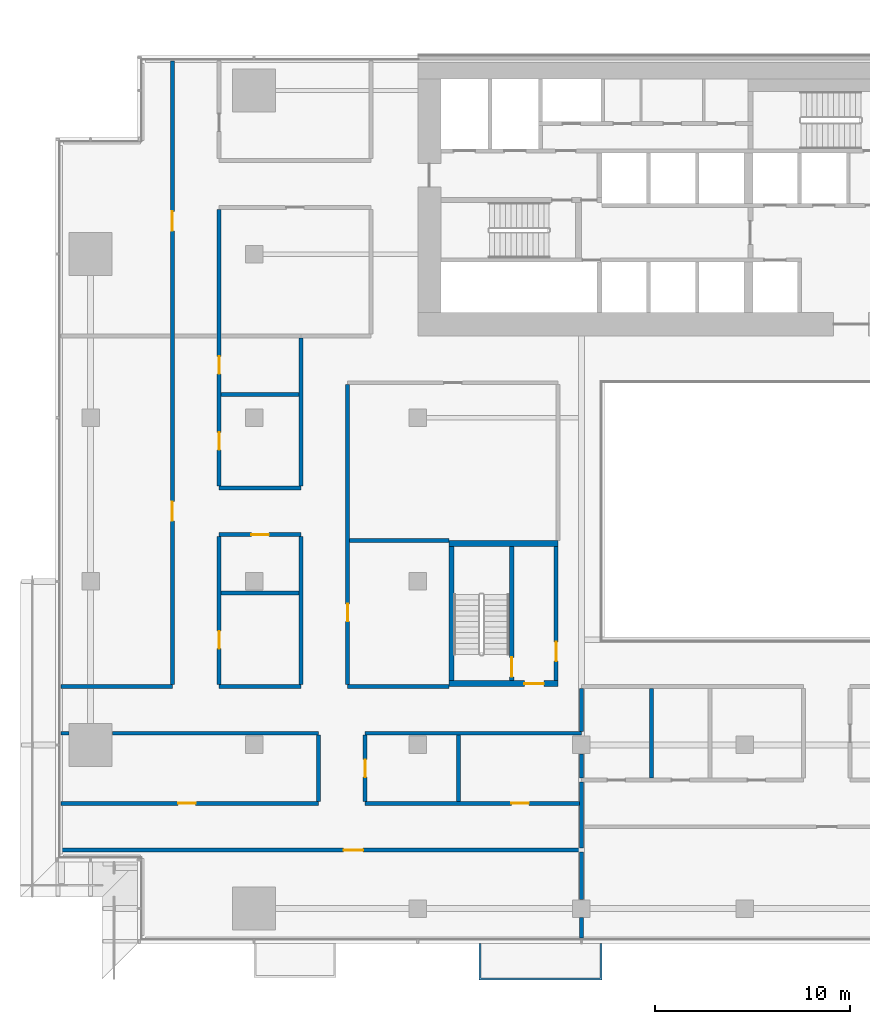
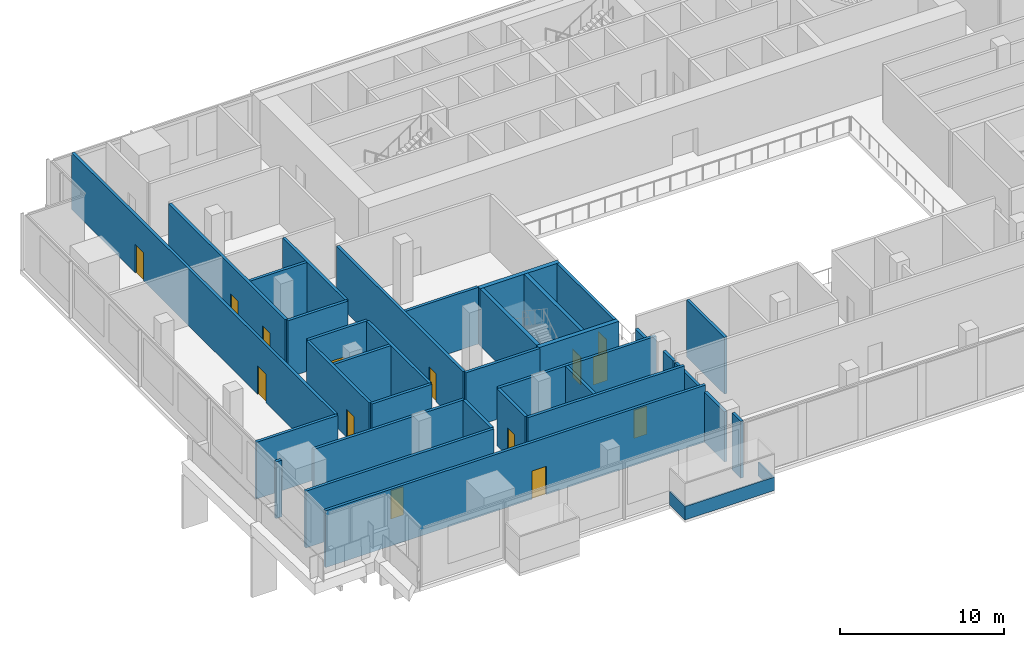
# One storey, part 14 of 23: 35 walls, 14 doors, 14 openings.
"""IFC4 building model written with IfcOpenShell, lengths in metres."""

from ifc_helpers import new_model, si_unit, direction, frame, frame_2d, origin, place, context, subcontext, project, spatial, polyline, rectangle, outline, extrude, material, layer, layer_set, type_object, element, fill, save


model = new_model("IFC4")

# Units and contexts
model_context = context("Model", 3, precision=1e-05, world=origin(), true_north=direction((0.0, 1.0)))
body_context = subcontext(model_context, "Body", "Model", "MODEL_VIEW")
ifc_project = project(units=[si_unit("LENGTHUNIT", "METRE"), si_unit("AREAUNIT", "SQUARE_METRE"), si_unit("VOLUMEUNIT", "CUBIC_METRE"), si_unit("PLANEANGLEUNIT", "RADIAN"), si_unit("MASSUNIT", "GRAM", prefix="KILO")], contexts=[model_context])

# Site, building, storey
site_placement = place(None, origin())
site = spatial("IfcSite", under=ifc_project, at=site_placement, CompositionType="ELEMENT")
building_placement = place(site_placement, origin())
building = spatial("IfcBuilding", under=site, at=building_placement, Name="Saffron Gate Tower", CompositionType="ELEMENT")
storey_placement = place(building_placement, frame((0.0, 0.0, 32.699951171875)))
storey = spatial("IfcBuildingStorey", under=building, at=storey_placement, Name="L06", CompositionType="ELEMENT", Elevation=32.699951171875)

# Wall, opening, door
ifc_material_1 = material(Name="Gypsum board partition on steel studs", Category="steel")
ifc_layer_1 = layer(ifc_material_1, 0.199951171875)
ifc_layer_set_1 = layer_set([ifc_layer_1], Name="CW10 Core partition 200")
wall_type_1 = type_object("IfcWallType", Name="CW10 Core partition 200", PredefinedType="PARTITIONING", material=ifc_layer_set_1)
wall_1_placement = place(storey_placement, frame((73.699951171875, 43.5, 0.0), z_axis=(0.0, 0.0, 1.0), x_axis=(0.0, 1.0, 0.0)))
wall_1 = element("IfcWall", 1, at=wall_1_placement, inside=storey, type_object=wall_type_1, Name="Wall CW10-L06-D-4", PredefinedType="PARTITIONING", context=body_context, shape_type="SweptSolid", body=[
    extrude(rectangle(XDim=6.89990234375, YDim=0.199951171875, at=frame_2d((3.449951171875, 0.0))), origin(), (0.0, 0.0, 1.0), 4.219970703125),
])
opening_1_placement = place(wall_1_placement, frame((1.0, 0.0, 0.0)))
opening_1 = element("IfcOpeningElement", 2, at=opening_1_placement, cuts=wall_1, Name="Opening CR-19", PredefinedType="OPENING", context=body_context, shape_type="SweptSolid", body=[
    extrude(rectangle(XDim=1.0, YDim=2.10009765625, at=frame_2d((0.5, 1.050048828125))), frame((0.0, 0.10986328125, 0.0), z_axis=(0.0, -1.0, 0.0), x_axis=(1.0, 0.0, 0.0)), (0.0, 0.0, 1.0), 0.219970703125),
])
ifc_material_2 = material(Name="Steel fire door set", Category="steel")
door_type_1 = type_object("IfcDoorType", Name="CD4 Lobby door 1000x2100 EI 120", OperationType="NOTDEFINED", PredefinedType="DOOR", material=ifc_material_2)
door_1_placement = place(opening_1_placement, origin())
door_1 = element("IfcDoor", 3, at=door_1_placement, inside=storey, type_object=door_type_1, Name="DOOR CR-19", OperationType="SINGLE_SWING_RIGHT", OverallHeight=2.10009765625, OverallWidth=1.0, PredefinedType="DOOR", context=body_context, shape_type="SweptSolid", body=[
    extrude(rectangle(XDim=1.0, YDim=2.10009765625, at=frame_2d((0.5, 1.050048828125))), frame((0.0, 0.02490234375, 0.0), z_axis=(0.0, -1.0, 0.0), x_axis=(1.0, 0.0, 0.0)), (0.0, 0.0, 1.0), 0.050048828125),
])
fill(opening_1, door_1)

# Wall
ifc_material_3 = material(Name="Concrete C70", Category="concrete")
ifc_layer_2 = layer(ifc_material_3, 0.25)
ifc_layer_set_2 = layer_set([ifc_layer_2], Name="CW2 RC core wall 250 C70")
wall_type_2 = type_object("IfcWallType", Name="CW2 RC core wall 250 C70", PredefinedType="SOLIDWALL", material=ifc_layer_set_2)
wall_2_placement = place(storey_placement, frame((68.324951171875, 43.5, 0.0), z_axis=(0.0, 0.0, 1.0), x_axis=(0.0, 1.0, 0.0)))
element("IfcWall", 4, at=wall_2_placement, inside=storey, type_object=wall_type_2, Name="Wall CW2-L06-D-2", PredefinedType="SOLIDWALL", context=body_context, shape_type="SweptSolid", body=[
    extrude(rectangle(XDim=6.89990234375, YDim=0.25, at=frame_2d((3.449951171875, 0.0))), origin(), (0.0, 0.0, 1.0), 4.219970703125),
])

# Wall, opening, door
wall_3_placement = place(storey_placement, frame((71.425048828125, 43.5, 0.0), z_axis=(0.0, 0.0, 1.0), x_axis=(0.0, 1.0, 0.0)))
wall_3 = element("IfcWall", 5, at=wall_3_placement, inside=storey, type_object=wall_type_2, Name="Wall CW2-L06-D-3", PredefinedType="SOLIDWALL", context=body_context, shape_type="SweptSolid", body=[
    extrude(rectangle(XDim=6.89990234375, YDim=0.25, at=frame_2d((3.449951171875, 0.0))), origin(), (0.0, 0.0, 1.0), 4.219970703125),
])
opening_2_placement = place(wall_3_placement, frame((0.199951171875, 0.0, 0.0)))
opening_2 = element("IfcOpeningElement", 6, at=opening_2_placement, cuts=wall_3, Name="Opening CR-20", PredefinedType="OPENING", context=body_context, shape_type="SweptSolid", body=[
    extrude(rectangle(XDim=1.0, YDim=2.10009765625, at=frame_2d((0.5, 1.050048828125))), frame((0.0, 0.135009765625, 0.0), z_axis=(0.0, -1.0, 0.0), x_axis=(1.0, 0.0, 0.0)), (0.0, 0.0, 1.0), 0.27001953125),
])
door_type_2 = type_object("IfcDoorType", Name="CD5 Stair door 1000x2100 EI 120", OperationType="NOTDEFINED", PredefinedType="DOOR", material=ifc_material_2)
door_2_placement = place(opening_2_placement, origin())
door_2 = element("IfcDoor", 7, at=door_2_placement, inside=storey, type_object=door_type_2, Name="DOOR CR-20", OperationType="SINGLE_SWING_LEFT", OverallHeight=2.10009765625, OverallWidth=1.0, PredefinedType="DOOR", context=body_context, shape_type="SweptSolid", body=[
    extrude(rectangle(XDim=1.0, YDim=2.10009765625, at=frame_2d((0.5, 1.050048828125))), frame((0.0, 0.02490234375, 0.0), z_axis=(0.0, -1.0, 0.0), x_axis=(1.0, 0.0, 0.0)), (0.0, 0.0, 1.0), 0.050048828125),
])
fill(opening_2, door_2)

ifc_layer_3 = layer(ifc_material_3, 0.300048828125)
ifc_layer_set_3 = layer_set([ifc_layer_3], Name="CW5 RC core wall 300 C70")
wall_type_3 = type_object("IfcWallType", Name="CW5 RC core wall 300 C70", PredefinedType="SOLIDWALL", material=ifc_layer_set_3)
wall_4_placement = place(storey_placement, frame((68.199951171875, 43.35009765625, 0.0), z_axis=(0.0, 0.0, 1.0), x_axis=(1.0, 0.0, 0.0)))
wall_4 = element("IfcWall", 8, at=wall_4_placement, inside=storey, type_object=wall_type_3, Name="Wall CW5-L06-D-1", PredefinedType="SOLIDWALL", context=body_context, shape_type="SweptSolid", body=[
    extrude(rectangle(XDim=5.60009765625, YDim=0.300048828125, at=frame_2d((2.800048828125, 0.0))), origin(), (0.0, 0.0, 1.0), 4.219970703125),
])
opening_3_placement = place(wall_4_placement, frame((3.875, 0.0, 0.0)))
opening_3 = element("IfcOpeningElement", 9, at=opening_3_placement, cuts=wall_4, Name="Opening CR-18", PredefinedType="OPENING", context=body_context, shape_type="SweptSolid", body=[
    extrude(rectangle(XDim=1.0, YDim=2.10009765625, at=frame_2d((0.5, 1.050048828125))), frame((0.0, 0.16015625, 0.0), z_axis=(0.0, -1.0, 0.0), x_axis=(1.0, 0.0, 0.0)), (0.0, 0.0, 1.0), 0.320068359375),
])
door_3_placement = place(opening_3_placement, origin())
door_3 = element("IfcDoor", 10, at=door_3_placement, inside=storey, type_object=door_type_1, Name="DOOR CR-18", OperationType="SINGLE_SWING_RIGHT", OverallHeight=2.10009765625, OverallWidth=1.0, PredefinedType="DOOR", context=body_context, shape_type="SweptSolid", body=[
    extrude(rectangle(XDim=1.0, YDim=2.10009765625, at=frame_2d((0.5, 1.050048828125))), frame((0.0, 0.02490234375, 0.0), z_axis=(0.0, -1.0, 0.0), x_axis=(1.0, 0.0, 0.0)), (0.0, 0.0, 1.0), 0.050048828125),
])
fill(opening_3, door_3)

# Wall
wall_5_placement = place(storey_placement, frame((68.199951171875, 50.550048828125, 0.0), z_axis=(0.0, 0.0, 1.0), x_axis=(1.0, 0.0, 0.0)))
element("IfcWall", 11, at=wall_5_placement, inside=storey, type_object=wall_type_3, Name="Wall CW5-L06-D-5", PredefinedType="SOLIDWALL", context=body_context, shape_type="SweptSolid", body=[
    extrude(rectangle(XDim=5.60009765625, YDim=0.300048828125, at=frame_2d((2.800048828125, 0.0))), origin(), (0.0, 0.0, 1.0), 4.219970703125),
])

# Wall, opening, door
ifc_material_4 = material(Name="Clay brick masonry, rendered", Category="masonry")
ifc_layer_4 = layer(ifc_material_4, 0.199951171875)
ifc_layer_set_4 = layer_set([ifc_layer_4], Name="PW3 Corridor wall 200")
wall_type_4 = type_object("IfcWallType", Name="PW3 Corridor wall 200", PredefinedType="PARTITIONING", material=ifc_layer_set_4)
wall_6_placement = place(storey_placement, frame((75.0, 34.800048828125, 0.0), z_axis=(0.0, 0.0, 1.0), x_axis=(-1.0, 0.0, 0.0)))
wall_6 = element("IfcWall", 12, at=wall_6_placement, inside=storey, type_object=wall_type_4, Name="Wall S2-1", PredefinedType="PARTITIONING", context=body_context, shape_type="SweptSolid", body=[
    extrude(rectangle(XDim=26.719970703125, YDim=0.199951171875, at=frame_2d((13.35986328125, 0.0))), origin(), (0.0, 0.0, 1.0), 4.219970703125),
])
opening_4_placement = place(wall_6_placement, frame((11.203857421875, 0.0, 0.0)))
opening_4 = element("IfcOpeningElement", 13, at=opening_4_placement, cuts=wall_6, Name="Opening S2-32", PredefinedType="OPENING", context=body_context, shape_type="SweptSolid", body=[
    extrude(rectangle(XDim=1.0, YDim=2.10009765625, at=frame_2d((0.5, 1.050048828125))), frame((0.0, 0.10986328125, 0.0), z_axis=(0.0, -1.0, 0.0), x_axis=(1.0, 0.0, 0.0)), (0.0, 0.0, 1.0), 0.219970703125),
])
ifc_material_5 = material(Name="Timber door set", Category="wood")
door_type_3 = type_object("IfcDoorType", Name="HD1 Hall door 1200x2100", OperationType="NOTDEFINED", PredefinedType="DOOR", material=ifc_material_5)
door_4_placement = place(opening_4_placement, origin())
door_4 = element("IfcDoor", 14, at=door_4_placement, inside=storey, type_object=door_type_3, Name="Door S2-32", OperationType="SINGLE_SWING_LEFT", OverallHeight=2.10009765625, OverallWidth=1.0, PredefinedType="DOOR", context=body_context, shape_type="SweptSolid", body=[
    extrude(rectangle(XDim=1.0, YDim=2.10009765625, at=frame_2d((0.5, 1.050048828125))), frame((0.0, 0.02490234375, 0.0), z_axis=(0.0, -1.0, 0.0), x_axis=(1.0, 0.0, 0.0)), (0.0, 0.0, 1.0), 0.050048828125),
])
fill(opening_4, door_4)

wall_7_placement = place(storey_placement, frame((48.280029296875, 37.199951171875, 0.0), z_axis=(0.0, 0.0, 1.0), x_axis=(1.0, 0.0, 0.0)))
wall_7 = element("IfcWall", 15, at=wall_7_placement, inside=storey, type_object=wall_type_4, Name="Wall S2-4", PredefinedType="PARTITIONING", context=body_context, shape_type="SweptSolid", body=[
    extrude(rectangle(XDim=13.219970703125, YDim=0.199951171875, at=frame_2d((6.60986328125, 0.0))), origin(), (0.0, 0.0, 1.0), 4.219970703125),
])
opening_5_placement = place(wall_7_placement, frame((6.02001953125, 0.0, 0.0)))
opening_5 = element("IfcOpeningElement", 16, at=opening_5_placement, cuts=wall_7, Name="Opening S2-6", PredefinedType="OPENING", context=body_context, shape_type="SweptSolid", body=[
    extrude(rectangle(XDim=0.89990234375, YDim=2.10009765625, at=frame_2d((0.449951171875, 1.050048828125))), frame((0.0, 0.10986328125, 0.0), z_axis=(0.0, -1.0, 0.0), x_axis=(1.0, 0.0, 0.0)), (0.0, 0.0, 1.0), 0.219970703125),
])
door_type_4 = type_object("IfcDoorType", Name="RD1 Room door 900x2100", OperationType="NOTDEFINED", PredefinedType="DOOR", material=ifc_material_5)
door_5_placement = place(opening_5_placement, origin())
door_5 = element("IfcDoor", 17, at=door_5_placement, inside=storey, type_object=door_type_4, Name="Door S2-6", OperationType="SINGLE_SWING_LEFT", OverallHeight=2.10009765625, OverallWidth=0.89990234375, PredefinedType="DOOR", context=body_context, shape_type="SweptSolid", body=[
    extrude(rectangle(XDim=0.89990234375, YDim=2.10009765625, at=frame_2d((0.449951171875, 1.050048828125))), frame((0.0, 0.02490234375, 0.0), z_axis=(0.0, -1.0, 0.0), x_axis=(1.0, 0.0, 0.0)), (0.0, 0.0, 1.0), 0.050048828125),
])
fill(opening_5, door_5)

wall_8_placement = place(storey_placement, frame((63.89990234375, 37.199951171875, 0.0), z_axis=(0.0, 0.0, 1.0), x_axis=(1.0, 0.0, 0.0)))
wall_8 = element("IfcWall", 18, at=wall_8_placement, inside=storey, type_object=wall_type_4, Name="Wall S2-5", PredefinedType="PARTITIONING", context=body_context, shape_type="SweptSolid", body=[
    extrude(rectangle(XDim=11.0, YDim=0.199951171875, at=frame_2d((5.5, 0.0))), origin(), (0.0, 0.0, 1.0), 4.219970703125),
])
opening_6_placement = place(wall_8_placement, frame((7.5, 0.0, 0.0)))
opening_6 = element("IfcOpeningElement", 19, at=opening_6_placement, cuts=wall_8, Name="Opening S2-8", PredefinedType="OPENING", context=body_context, shape_type="SweptSolid", body=[
    extrude(rectangle(XDim=0.89990234375, YDim=2.10009765625, at=frame_2d((0.449951171875, 1.050048828125))), frame((0.0, 0.10986328125, 0.0), z_axis=(0.0, -1.0, 0.0), x_axis=(1.0, 0.0, 0.0)), (0.0, 0.0, 1.0), 0.219970703125),
])
door_6_placement = place(opening_6_placement, origin())
door_6 = element("IfcDoor", 20, at=door_6_placement, inside=storey, type_object=door_type_4, Name="Door S2-8", OperationType="SINGLE_SWING_RIGHT", OverallHeight=2.10009765625, OverallWidth=0.89990234375, PredefinedType="DOOR", context=body_context, shape_type="SweptSolid", body=[
    extrude(rectangle(XDim=0.89990234375, YDim=2.10009765625, at=frame_2d((0.449951171875, 1.050048828125))), frame((0.0, 0.02490234375, 0.0), z_axis=(0.0, -1.0, 0.0), x_axis=(1.0, 0.0, 0.0)), (0.0, 0.0, 1.0), 0.050048828125),
])
fill(opening_6, door_6)

# Walls
wall_9_placement = place(storey_placement, frame((48.280029296875, 40.800048828125, 0.0), z_axis=(0.0, 0.0, 1.0), x_axis=(1.0, 0.0, 0.0)))
element("IfcWall", 21, at=wall_9_placement, inside=storey, type_object=wall_type_4, Name="Wall S2-10", PredefinedType="PARTITIONING", context=body_context, shape_type="SweptSolid", body=[
    extrude(rectangle(XDim=0.39990234375, YDim=0.199951171875, at=frame_2d((0.199951171875, 0.0))), origin(), (0.0, 0.0, 1.0), 4.219970703125),
])
wall_10_placement = place(storey_placement, frame((50.919921875, 40.800048828125, 0.0), z_axis=(0.0, 0.0, 1.0), x_axis=(1.0, 0.0, 0.0)))
element("IfcWall", 22, at=wall_10_placement, inside=storey, type_object=wall_type_4, Name="Wall S2-11", PredefinedType="PARTITIONING", context=body_context, shape_type="SweptSolid", body=[
    extrude(rectangle(XDim=10.580078125, YDim=0.199951171875, at=frame_2d((5.2900390625, 0.0))), origin(), (0.0, 0.0, 1.0), 4.219970703125),
])
wall_11_placement = place(storey_placement, frame((63.89990234375, 40.800048828125, 0.0), z_axis=(0.0, 0.0, 1.0), x_axis=(1.0, 0.0, 0.0)))
element("IfcWall", 23, at=wall_11_placement, inside=storey, type_object=wall_type_4, Name="Wall S2-12", PredefinedType="PARTITIONING", context=body_context, shape_type="SweptSolid", body=[
    extrude(rectangle(XDim=11.10009765625, YDim=0.199951171875, at=frame_2d((5.550048828125, 0.0))), origin(), (0.0, 0.0, 1.0), 4.219970703125),
])
wall_12_placement = place(storey_placement, frame((48.280029296875, 43.199951171875, 0.0), z_axis=(0.0, 0.0, 1.0), x_axis=(1.0, 0.0, 0.0)))
element("IfcWall", 24, at=wall_12_placement, inside=storey, type_object=wall_type_4, Name="Wall S2-16", PredefinedType="PARTITIONING", context=body_context, shape_type="SweptSolid", body=[
    extrude(rectangle(XDim=5.719970703125, YDim=0.199951171875, at=frame_2d((2.85986328125, 0.0))), origin(), (0.0, 0.0, 1.0), 4.219970703125),
])
wall_13_placement = place(storey_placement, frame((56.39990234375, 43.199951171875, 0.0), z_axis=(0.0, 0.0, 1.0), x_axis=(1.0, 0.0, 0.0)))
element("IfcWall", 25, at=wall_13_placement, inside=storey, type_object=wall_type_4, Name="Wall S2-17", PredefinedType="PARTITIONING", context=body_context, shape_type="SweptSolid", body=[
    extrude(rectangle(XDim=4.2001953125, YDim=0.199951171875, at=frame_2d((2.10009765625, 0.0))), origin(), (0.0, 0.0, 1.0), 4.219970703125),
])
wall_14_placement = place(storey_placement, frame((63.0, 43.199951171875, 0.0), z_axis=(0.0, 0.0, 1.0), x_axis=(1.0, 0.0, 0.0)))
element("IfcWall", 26, at=wall_14_placement, inside=storey, type_object=wall_type_4, Name="Wall S2-18", PredefinedType="PARTITIONING", context=body_context, shape_type="SweptSolid", body=[
    extrude(rectangle(XDim=5.199951171875, YDim=0.199951171875, at=frame_2d((2.60009765625, 0.0))), origin(), (0.0, 0.0, 1.0), 4.219970703125),
])

# Wall, opening, door
wall_15_placement = place(storey_placement, frame((60.60009765625, 51.0, 0.0), z_axis=(0.0, 0.0, 1.0), x_axis=(-1.0, 0.0, 0.0)))
wall_15 = element("IfcWall", 27, at=wall_15_placement, inside=storey, type_object=wall_type_4, Name="Wall S2-28", PredefinedType="PARTITIONING", context=body_context, shape_type="SweptSolid", body=[
    extrude(rectangle(XDim=4.2001953125, YDim=0.199951171875, at=frame_2d((2.10009765625, 0.0))), origin(), (0.0, 0.0, 1.0), 4.219970703125),
])
opening_7_placement = place(wall_15_placement, frame((1.64990234375, 0.0, 0.0)))
opening_7 = element("IfcOpeningElement", 28, at=opening_7_placement, cuts=wall_15, Name="Opening S2-19", PredefinedType="OPENING", context=body_context, shape_type="SweptSolid", body=[
    extrude(rectangle(XDim=0.89990234375, YDim=2.10009765625, at=frame_2d((0.449951171875, 1.050048828125))), frame((0.0, 0.10986328125, 0.0), z_axis=(0.0, -1.0, 0.0), x_axis=(1.0, 0.0, 0.0)), (0.0, 0.0, 1.0), 0.219970703125),
])
door_7_placement = place(opening_7_placement, origin())
door_7 = element("IfcDoor", 29, at=door_7_placement, inside=storey, type_object=door_type_4, Name="Door S2-19", OperationType="SINGLE_SWING_RIGHT", OverallHeight=2.10009765625, OverallWidth=0.89990234375, PredefinedType="DOOR", context=body_context, shape_type="SweptSolid", body=[
    extrude(rectangle(XDim=0.89990234375, YDim=2.10009765625, at=frame_2d((0.449951171875, 1.050048828125))), frame((0.0, 0.02490234375, 0.0), z_axis=(0.0, -1.0, 0.0), x_axis=(1.0, 0.0, 0.0)), (0.0, 0.0, 1.0), 0.050048828125),
])
fill(opening_7, door_7)

# Wall
wall_16_placement = place(storey_placement, frame((56.39990234375, 53.39990234375, 0.0), z_axis=(0.0, 0.0, 1.0), x_axis=(1.0, 0.0, 0.0)))
element("IfcWall", 30, at=wall_16_placement, inside=storey, type_object=wall_type_4, Name="Wall S2-31", PredefinedType="PARTITIONING", context=body_context, shape_type="SweptSolid", body=[
    extrude(rectangle(XDim=4.2001953125, YDim=0.199951171875, at=frame_2d((2.10009765625, 0.0))), origin(), (0.0, 0.0, 1.0), 4.219970703125),
])

# Wall, openings, doors
wall_17_placement = place(storey_placement, frame((54.0, 43.300048828125, 0.0), z_axis=(0.0, 0.0, 1.0), x_axis=(0.0, 1.0, 0.0)))
wall_17 = element("IfcWall", 31, at=wall_17_placement, inside=storey, type_object=wall_type_4, Name="Wall S2-52", PredefinedType="PARTITIONING", context=body_context, shape_type="SweptSolid", body=[
    extrude(rectangle(XDim=32.02001953125, YDim=0.199951171875, at=frame_2d((16.010009765625, 0.0))), origin(), (0.0, 0.0, 1.0), 4.219970703125),
])
opening_8_placement = place(wall_17_placement, frame((8.39990234375, 0.0, 0.0)))
opening_8 = element("IfcOpeningElement", 32, at=opening_8_placement, cuts=wall_17, Name="Opening S2-35", PredefinedType="OPENING", context=body_context, shape_type="SweptSolid", body=[
    extrude(rectangle(XDim=1.0, YDim=2.10009765625, at=frame_2d((0.5, 1.050048828125))), frame((0.0, 0.10986328125, 0.0), z_axis=(0.0, -1.0, 0.0), x_axis=(1.0, 0.0, 0.0)), (0.0, 0.0, 1.0), 0.219970703125),
])
opening_9_placement = place(wall_17_placement, frame((23.29150390625, 0.0, 0.0)))
opening_9 = element("IfcOpeningElement", 33, at=opening_9_placement, cuts=wall_17, Name="Opening S2-36", PredefinedType="OPENING", context=body_context, shape_type="SweptSolid", body=[
    extrude(rectangle(XDim=1.0, YDim=2.10009765625, at=frame_2d((0.5, 1.050048828125))), frame((0.0, 0.10986328125, 0.0), z_axis=(0.0, -1.0, 0.0), x_axis=(1.0, 0.0, 0.0)), (0.0, 0.0, 1.0), 0.219970703125),
])
door_8_placement = place(opening_8_placement, origin())
door_8 = element("IfcDoor", 34, at=door_8_placement, inside=storey, type_object=door_type_3, Name="Door S2-35", OperationType="SINGLE_SWING_LEFT", OverallHeight=2.10009765625, OverallWidth=1.0, PredefinedType="DOOR", context=body_context, shape_type="SweptSolid", body=[
    extrude(rectangle(XDim=1.0, YDim=2.10009765625, at=frame_2d((0.5, 1.050048828125))), frame((0.0, 0.02490234375, 0.0), z_axis=(0.0, -1.0, 0.0), x_axis=(1.0, 0.0, 0.0)), (0.0, 0.0, 1.0), 0.050048828125),
])
fill(opening_8, door_8)
door_9_placement = place(opening_9_placement, origin())
door_9 = element("IfcDoor", 35, at=door_9_placement, inside=storey, type_object=door_type_3, Name="Door S2-36", OperationType="SINGLE_SWING_LEFT", OverallHeight=2.10009765625, OverallWidth=1.0, PredefinedType="DOOR", context=body_context, shape_type="SweptSolid", body=[
    extrude(rectangle(XDim=1.0, YDim=2.10009765625, at=frame_2d((0.5, 1.050048828125))), frame((0.0, 0.02490234375, 0.0), z_axis=(0.0, -1.0, 0.0), x_axis=(1.0, 0.0, 0.0)), (0.0, 0.0, 1.0), 0.050048828125),
])
fill(opening_9, door_9)

# Wall, opening, door
wall_18_placement = place(storey_placement, frame((56.39990234375, 50.89990234375, 0.0), z_axis=(0.0, 0.0, 1.0), x_axis=(0.0, -1.0, 0.0)))
wall_18 = element("IfcWall", 36, at=wall_18_placement, inside=storey, type_object=wall_type_4, Name="Wall S2-53", PredefinedType="PARTITIONING", context=body_context, shape_type="SweptSolid", body=[
    extrude(rectangle(XDim=7.599853515625, YDim=0.199951171875, at=frame_2d((3.7998046875, 0.0))), origin(), (0.0, 0.0, 1.0), 4.219970703125),
])
opening_10_placement = place(wall_18_placement, frame((4.85009765625, 0.0, 0.0)))
opening_10 = element("IfcOpeningElement", 37, at=opening_10_placement, cuts=wall_18, Name="Opening S2-18", PredefinedType="OPENING", context=body_context, shape_type="SweptSolid", body=[
    extrude(rectangle(XDim=0.89990234375, YDim=2.10009765625, at=frame_2d((0.449951171875, 1.050048828125))), frame((0.0, 0.10986328125, 0.0), z_axis=(0.0, -1.0, 0.0), x_axis=(1.0, 0.0, 0.0)), (0.0, 0.0, 1.0), 0.219970703125),
])
door_10_placement = place(opening_10_placement, origin())
door_10 = element("IfcDoor", 38, at=door_10_placement, inside=storey, type_object=door_type_4, Name="Door S2-18", OperationType="SINGLE_SWING_RIGHT", OverallHeight=2.10009765625, OverallWidth=0.89990234375, PredefinedType="DOOR", context=body_context, shape_type="SweptSolid", body=[
    extrude(rectangle(XDim=0.89990234375, YDim=2.10009765625, at=frame_2d((0.449951171875, 1.050048828125))), frame((0.0, 0.02490234375, 0.0), z_axis=(0.0, -1.0, 0.0), x_axis=(1.0, 0.0, 0.0)), (0.0, 0.0, 1.0), 0.050048828125),
])
fill(opening_10, door_10)

# Wall, openings, doors
wall_19_placement = place(storey_placement, frame((56.39990234375, 67.699951171875, 0.0), z_axis=(0.0, 0.0, 1.0), x_axis=(0.0, -1.0, 0.0)))
wall_19 = element("IfcWall", 39, at=wall_19_placement, inside=storey, type_object=wall_type_4, Name="Wall S2-54", PredefinedType="PARTITIONING", context=body_context, shape_type="SweptSolid", body=[
    extrude(rectangle(XDim=14.199951171875, YDim=0.199951171875, at=frame_2d((7.10009765625, 0.0))), origin(), (0.0, 0.0, 1.0), 4.219970703125),
])
opening_11_placement = place(wall_19_placement, frame((7.550048828125, 0.0, 0.0)))
opening_11 = element("IfcOpeningElement", 40, at=opening_11_placement, cuts=wall_19, Name="Opening S2-21", PredefinedType="OPENING", context=body_context, shape_type="SweptSolid", body=[
    extrude(rectangle(XDim=0.89990234375, YDim=2.10009765625, at=frame_2d((0.449951171875, 1.050048828125))), frame((0.0, 0.10986328125, 0.0), z_axis=(0.0, -1.0, 0.0), x_axis=(1.0, 0.0, 0.0)), (0.0, 0.0, 1.0), 0.219970703125),
])
opening_12_placement = place(wall_19_placement, frame((11.449951171875, 0.0, 0.0)))
opening_12 = element("IfcOpeningElement", 41, at=opening_12_placement, cuts=wall_19, Name="Opening S2-20", PredefinedType="OPENING", context=body_context, shape_type="SweptSolid", body=[
    extrude(rectangle(XDim=0.89990234375, YDim=2.10009765625, at=frame_2d((0.449951171875, 1.050048828125))), frame((0.0, 0.10986328125, 0.0), z_axis=(0.0, -1.0, 0.0), x_axis=(1.0, 0.0, 0.0)), (0.0, 0.0, 1.0), 0.219970703125),
])
door_11_placement = place(opening_11_placement, origin())
door_11 = element("IfcDoor", 42, at=door_11_placement, inside=storey, type_object=door_type_4, Name="Door S2-21", OperationType="SINGLE_SWING_LEFT", OverallHeight=2.10009765625, OverallWidth=0.89990234375, PredefinedType="DOOR", context=body_context, shape_type="SweptSolid", body=[
    extrude(rectangle(XDim=0.89990234375, YDim=2.10009765625, at=frame_2d((0.449951171875, 1.050048828125))), frame((0.0, 0.02490234375, 0.0), z_axis=(0.0, -1.0, 0.0), x_axis=(1.0, 0.0, 0.0)), (0.0, 0.0, 1.0), 0.050048828125),
])
fill(opening_11, door_11)
door_12_placement = place(opening_12_placement, origin())
door_12 = element("IfcDoor", 43, at=door_12_placement, inside=storey, type_object=door_type_4, Name="Door S2-20", OperationType="SINGLE_SWING_RIGHT", OverallHeight=2.10009765625, OverallWidth=0.89990234375, PredefinedType="DOOR", context=body_context, shape_type="SweptSolid", body=[
    extrude(rectangle(XDim=0.89990234375, YDim=2.10009765625, at=frame_2d((0.449951171875, 1.050048828125))), frame((0.0, 0.02490234375, 0.0), z_axis=(0.0, -1.0, 0.0), x_axis=(1.0, 0.0, 0.0)), (0.0, 0.0, 1.0), 0.050048828125),
])
fill(opening_12, door_12)

# Walls
wall_20_placement = place(storey_placement, frame((60.60009765625, 50.89990234375, 0.0), z_axis=(0.0, 0.0, 1.0), x_axis=(0.0, -1.0, 0.0)))
element("IfcWall", 44, at=wall_20_placement, inside=storey, type_object=wall_type_4, Name="Wall S2-56", PredefinedType="PARTITIONING", context=body_context, shape_type="SweptSolid", body=[
    extrude(rectangle(XDim=7.599853515625, YDim=0.199951171875, at=frame_2d((3.7998046875, 0.0))), origin(), (0.0, 0.0, 1.0), 4.219970703125),
])
wall_21_placement = place(storey_placement, frame((60.60009765625, 61.10009765625, 0.0), z_axis=(0.0, 0.0, 1.0), x_axis=(0.0, -1.0, 0.0)))
element("IfcWall", 45, at=wall_21_placement, inside=storey, type_object=wall_type_4, Name="Wall S2-57", PredefinedType="PARTITIONING", context=body_context, shape_type="SweptSolid", body=[
    extrude(rectangle(XDim=7.60009765625, YDim=0.199951171875, at=frame_2d((3.800048828125, 0.0))), origin(), (0.0, 0.0, 1.0), 4.219970703125),
])
wall_22_placement = place(storey_placement, frame((61.5, 40.699951171875, 0.0), z_axis=(0.0, 0.0, 1.0), x_axis=(0.0, -1.0, 0.0)))
element("IfcWall", 46, at=wall_22_placement, inside=storey, type_object=wall_type_4, Name="Wall S2-58", PredefinedType="PARTITIONING", context=body_context, shape_type="SweptSolid", body=[
    extrude(rectangle(XDim=3.39990234375, YDim=0.199951171875, at=frame_2d((1.699951171875, 0.0))), origin(), (0.0, 0.0, 1.0), 4.219970703125),
])

# Wall, opening, door
wall_23_placement = place(storey_placement, frame((63.0, 58.699951171875, 0.0), z_axis=(0.0, 0.0, 1.0), x_axis=(0.0, -1.0, 0.0)))
wall_23 = element("IfcWall", 47, at=wall_23_placement, inside=storey, type_object=wall_type_4, Name="Wall S2-59", PredefinedType="PARTITIONING", context=body_context, shape_type="SweptSolid", body=[
    extrude(rectangle(XDim=15.39990234375, YDim=0.199951171875, at=frame_2d((7.699951171875, 0.0))), origin(), (0.0, 0.0, 1.0), 4.219970703125),
])
opening_13_placement = place(wall_23_placement, frame((11.25, 0.0, 0.0)))
opening_13 = element("IfcOpeningElement", 48, at=opening_13_placement, cuts=wall_23, Name="Opening S2-31", PredefinedType="OPENING", context=body_context, shape_type="SweptSolid", body=[
    extrude(rectangle(XDim=0.89990234375, YDim=2.10009765625, at=frame_2d((0.449951171875, 1.050048828125))), frame((0.0, 0.10986328125, 0.0), z_axis=(0.0, -1.0, 0.0), x_axis=(1.0, 0.0, 0.0)), (0.0, 0.0, 1.0), 0.219970703125),
])
door_type_5 = type_object("IfcDoorType", Name="SD1 Service door 900x2100", OperationType="NOTDEFINED", PredefinedType="DOOR", material=ifc_material_2)
door_13_placement = place(opening_13_placement, origin())
door_13 = element("IfcDoor", 49, at=door_13_placement, inside=storey, type_object=door_type_5, Name="Door S2-31", OperationType="SINGLE_SWING_RIGHT", OverallHeight=2.10009765625, OverallWidth=0.89990234375, PredefinedType="DOOR", context=body_context, shape_type="SweptSolid", body=[
    extrude(rectangle(XDim=0.89990234375, YDim=2.10009765625, at=frame_2d((0.449951171875, 1.050048828125))), frame((0.0, 0.02490234375, 0.0), z_axis=(0.0, -1.0, 0.0), x_axis=(1.0, 0.0, 0.0)), (0.0, 0.0, 1.0), 0.050048828125),
])
fill(opening_13, door_13)

wall_24_placement = place(storey_placement, frame((63.89990234375, 40.699951171875, 0.0), z_axis=(0.0, 0.0, 1.0), x_axis=(0.0, -1.0, 0.0)))
wall_24 = element("IfcWall", 50, at=wall_24_placement, inside=storey, type_object=wall_type_4, Name="Wall S2-60", PredefinedType="PARTITIONING", context=body_context, shape_type="SweptSolid", body=[
    extrude(rectangle(XDim=3.39990234375, YDim=0.199951171875, at=frame_2d((1.699951171875, 0.0))), origin(), (0.0, 0.0, 1.0), 4.219970703125),
])
opening_14_placement = place(wall_24_placement, frame((1.25, 0.0, 0.0)))
opening_14 = element("IfcOpeningElement", 51, at=opening_14_placement, cuts=wall_24, Name="Opening S2-7", PredefinedType="OPENING", context=body_context, shape_type="SweptSolid", body=[
    extrude(rectangle(XDim=0.89990234375, YDim=2.10009765625, at=frame_2d((0.449951171875, 1.050048828125))), frame((0.0, 0.10986328125, 0.0), z_axis=(0.0, -1.0, 0.0), x_axis=(1.0, 0.0, 0.0)), (0.0, 0.0, 1.0), 0.219970703125),
])
door_14_placement = place(opening_14_placement, origin())
door_14 = element("IfcDoor", 52, at=door_14_placement, inside=storey, type_object=door_type_4, Name="Door S2-7", OperationType="SINGLE_SWING_LEFT", OverallHeight=2.10009765625, OverallWidth=0.89990234375, PredefinedType="DOOR", context=body_context, shape_type="SweptSolid", body=[
    extrude(rectangle(XDim=0.89990234375, YDim=2.10009765625, at=frame_2d((0.449951171875, 1.050048828125))), frame((0.0, 0.02490234375, 0.0), z_axis=(0.0, -1.0, 0.0), x_axis=(1.0, 0.0, 0.0)), (0.0, 0.0, 1.0), 0.050048828125),
])
fill(opening_14, door_14)

# Walls
wall_25_placement = place(storey_placement, frame((75.0, 38.300048828125, 0.0), z_axis=(0.0, 0.0, 1.0), x_axis=(0.0, -1.0, 0.0)))
element("IfcWall", 53, at=wall_25_placement, inside=storey, type_object=wall_type_4, Name="Wall S2-65", PredefinedType="PARTITIONING", context=body_context, shape_type="SweptSolid", body=[
    extrude(rectangle(XDim=3.400146484375, YDim=0.199951171875, at=frame_2d((1.7001953125, 0.0))), origin(), (0.0, 0.0, 1.0), 3.72998046875),
])
wall_26_placement = place(storey_placement, frame((75.0, 43.10009765625, 0.0), z_axis=(0.0, 0.0, 1.0), x_axis=(0.0, -1.0, 0.0)))
element("IfcWall", 54, at=wall_26_placement, inside=storey, type_object=wall_type_4, Name="Wall S2-66", PredefinedType="PARTITIONING", context=body_context, shape_type="SweptSolid", body=[
    extrude(rectangle(XDim=2.2001953125, YDim=0.199951171875, at=frame_2d((1.10009765625, 0.0))), origin(), (0.0, 0.0, 1.0), 3.330078125),
])
ifc_layer_5 = layer(ifc_material_4, 0.199951171875)
ifc_layer_set_5 = layer_set([ifc_layer_5], Name="PW5 Room wall 200")
wall_type_5 = type_object("IfcWallType", Name="PW5 Room wall 200", PredefinedType="PARTITIONING", material=ifc_layer_set_5)
wall_27_placement = place(storey_placement, frame((56.5, 48.0, 0.0), z_axis=(0.0, 0.0, 1.0), x_axis=(1.0, 0.0, 0.0)))
element("IfcWall", 55, at=wall_27_placement, inside=storey, type_object=wall_type_5, Name="Wall S2-25", PredefinedType="PARTITIONING", context=body_context, shape_type="SweptSolid", body=[
    extrude(rectangle(XDim=4.0, YDim=0.199951171875, at=frame_2d((2.0, 0.0))), origin(), (0.0, 0.0, 1.0), 4.219970703125),
])
wall_28_placement = place(storey_placement, frame((63.10009765625, 50.699951171875, 0.0), z_axis=(0.0, 0.0, 1.0), x_axis=(1.0, 0.0, 0.0)))
element("IfcWall", 56, at=wall_28_placement, inside=storey, type_object=wall_type_5, Name="Wall S2-27", PredefinedType="PARTITIONING", context=body_context, shape_type="SweptSolid", body=[
    extrude(rectangle(XDim=5.099853515625, YDim=0.199951171875, at=frame_2d((2.5498046875, 0.0))), origin(), (0.0, 0.0, 1.0), 4.219970703125),
])
wall_29_placement = place(storey_placement, frame((56.5, 58.199951171875, 0.0), z_axis=(0.0, 0.0, 1.0), x_axis=(1.0, 0.0, 0.0)))
element("IfcWall", 57, at=wall_29_placement, inside=storey, type_object=wall_type_5, Name="Wall S2-36", PredefinedType="PARTITIONING", context=body_context, shape_type="SweptSolid", body=[
    extrude(rectangle(XDim=4.0, YDim=0.199951171875, at=frame_2d((2.0, 0.0))), origin(), (0.0, 0.0, 1.0), 4.219970703125),
])
wall_30_placement = place(storey_placement, frame((68.699951171875, 40.699951171875, 0.0), z_axis=(0.0, 0.0, 1.0), x_axis=(0.0, -1.0, 0.0)))
element("IfcWall", 58, at=wall_30_placement, inside=storey, type_object=wall_type_5, Name="Wall S2-63", PredefinedType="PARTITIONING", context=body_context, shape_type="SweptSolid", body=[
    extrude(rectangle(XDim=3.39990234375, YDim=0.199951171875, at=frame_2d((1.699951171875, 0.0))), origin(), (0.0, 0.0, 1.0), 4.219970703125),
])
wall_31_placement = place(storey_placement, frame((75.0, 31.330078125, 0.0), z_axis=(0.0, 0.0, 1.0), x_axis=(0.0, -1.0, 0.0)))
element("IfcWall", 59, at=wall_31_placement, inside=storey, type_object=wall_type_5, Name="Wall S2-67", PredefinedType="PARTITIONING", context=body_context, shape_type="SweptSolid", body=[
    extrude(rectangle(XDim=1.050048828125, YDim=0.199951171875, at=frame_2d((0.52490234375, 0.0))), origin(), (0.0, 0.0, 1.0), 4.219970703125),
])
wall_32_placement = place(storey_placement, frame((75.0, 34.699951171875, 0.0), z_axis=(0.0, 0.0, 1.0), x_axis=(0.0, -1.0, 0.0)))
element("IfcWall", 60, at=wall_32_placement, inside=storey, type_object=wall_type_5, Name="Wall S2-68", PredefinedType="PARTITIONING", context=body_context, shape_type="SweptSolid", body=[
    extrude(rectangle(XDim=2.429931640625, YDim=0.199951171875, at=frame_2d((1.21484375, 0.0))), origin(), (0.0, 0.0, 1.0), 3.72998046875),
])
wall_33_placement = place(storey_placement, frame((75.0, 39.72998046875, 0.0), z_axis=(0.0, 0.0, 1.0), x_axis=(0.0, -1.0, 0.0)))
element("IfcWall", 61, at=wall_33_placement, inside=storey, type_object=wall_type_5, Name="Wall S2-69", PredefinedType="PARTITIONING", context=body_context, shape_type="SweptSolid", body=[
    extrude(rectangle(XDim=1.22998046875, YDim=0.199951171875, at=frame_2d((0.614990234375, 0.0))), origin(), (0.0, 0.0, 1.0), 3.72998046875),
])
wall_34_placement = place(storey_placement, frame((78.60009765625, 43.10009765625, 0.0), z_axis=(0.0, 0.0, 1.0), x_axis=(0.0, -1.0, 0.0)))
element("IfcWall", 62, at=wall_34_placement, inside=storey, type_object=wall_type_5, Name="Wall S2-70", PredefinedType="PARTITIONING", context=body_context, shape_type="SweptSolid", body=[
    extrude(rectangle(XDim=4.60009765625, YDim=0.199951171875, at=frame_2d((2.300048828125, 0.0))), origin(), (0.0, 0.0, 1.0), 4.219970703125),
])
ifc_material_6 = material(Name="Glazed ceramic tile, saffron")
ifc_layer_6 = layer(ifc_material_6, 0.10009765625)
ifc_layer_set_6 = layer_set([ifc_layer_6], Name="WB5 box parapet tile saffron")
wall_type_6 = type_object("IfcWallType", Name="WB5 box parapet tile saffron", PredefinedType="SOLIDWALL", material=ifc_layer_set_6)
wall_35_placement = place(storey_placement, origin())
element("IfcWall", 63, at=wall_35_placement, inside=storey, type_object=wall_type_6, Name="WINDOW BOX parapet", PredefinedType="SOLIDWALL", context=body_context, shape_type="SweptSolid", body=[
    extrude(outline(polyline([(69.75, 30.0), (69.85009765625, 30.0), (69.85009765625, 28.23291015625), (75.949951171875, 28.23291015625), (75.949951171875, 30.0), (76.050048828125, 30.0), (76.050048828125, 28.133056640625), (69.75, 28.133056640625), (69.75, 30.0)])), origin(), (0.0, 0.0, 1.0), 1.0),
])

save(model, "model.ifc")
